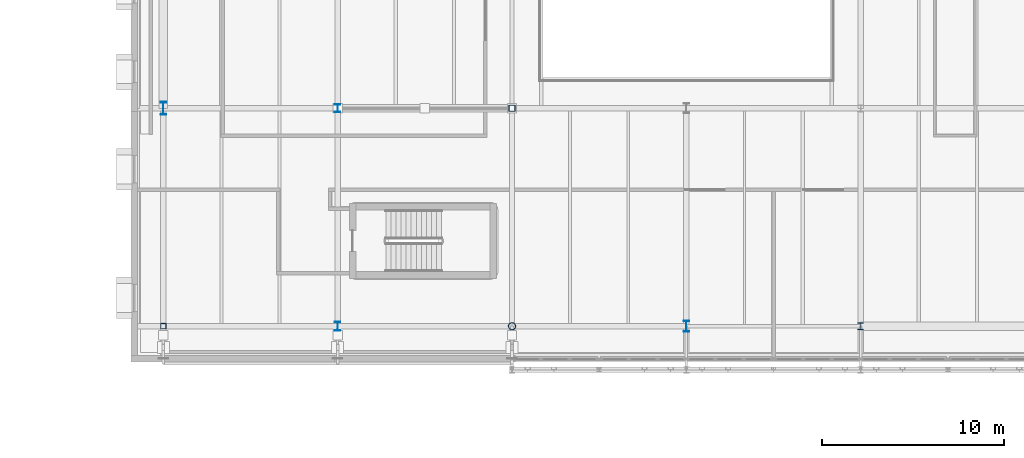
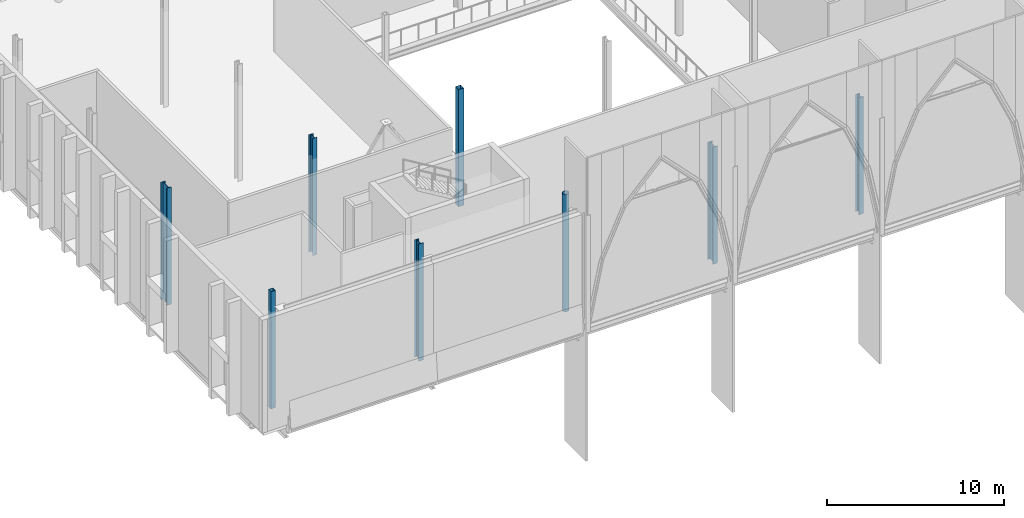
# One storey, part 4 of 79: 8 columns.
"""IFC4 building model written with IfcOpenShell, lengths in metres."""

from ifc_helpers import new_model, si_unit, direction, frame, origin, origin_2d, place, context, subcontext, project, spatial, hollow_rectangle, hollow_circle, i_section, extrude, material, material_profile, profile_set, type_object, element, save


model = new_model("IFC4")

# Units and contexts
model_context = context("Model", 3, precision=1e-05, world=origin(), true_north=direction((0.0, 1.0)))
body_context = subcontext(model_context, "Body", "Model", "MODEL_VIEW")
ifc_project = project(units=[si_unit("LENGTHUNIT", "METRE"), si_unit("AREAUNIT", "SQUARE_METRE"), si_unit("VOLUMEUNIT", "CUBIC_METRE"), si_unit("PLANEANGLEUNIT", "RADIAN"), si_unit("MASSUNIT", "GRAM", prefix="KILO")], contexts=[model_context])

# Site, building, storey
site_placement = place(None, origin())
site = spatial("IfcSite", under=ifc_project, at=site_placement, CompositionType="ELEMENT")
building_placement = place(site_placement, origin())
building = spatial("IfcBuilding", under=site, at=building_placement, Name="Zereglee Splitstone Museum", CompositionType="ELEMENT")
storey_placement = place(building_placement, frame((0.0, 0.0, 9.0)))
storey = spatial("IfcBuildingStorey", under=building, at=storey_placement, Name="L02", CompositionType="ELEMENT", Elevation=9.0)

# Columns
ifc_material_1 = material(Name="Steel S355J2H", Category="steel")
ifc_material_profile_1 = material_profile(ifc_material_1, hollow_circle(Radius=0.203125, WallThickness=0.02001953125, at=origin_2d()), Name="CHS 406.4x20")
ifc_profile_set_1 = profile_set([ifc_material_profile_1], Name="Steel S355J2H")
column_type_1 = type_object("IfcColumnType", Name="C-18", PredefinedType="COLUMN", material=ifc_profile_set_1)
column_1_placement = place(storey_placement, frame((97.199951171875, 9.60009765625, 0.0), z_axis=(0.0, 0.0, 1.0), x_axis=(1.0, 0.0, 0.0)))
element("IfcColumn", 1, at=column_1_placement, inside=storey, type_object=column_type_1, Name="Column 12/B L02", PredefinedType="COLUMN", context=body_context, shape_type="SweptSolid", body=[
    extrude(hollow_circle(Radius=0.203125, WallThickness=0.02001953125, at=origin_2d()), origin(), (0.0, 0.0, 1.0), 8.10009765625),
])
ifc_material_2 = material(Name="Steel S355J2", Category="steel")
ifc_material_profile_2 = material_profile(ifc_material_2, i_section(OverallWidth=0.300048828125, OverallDepth=0.39990234375, WebThickness=0.013427734375, FlangeThickness=0.02392578125, FilletRadius=0.027099609375, at=origin_2d()), Name="HE 400 B")
ifc_profile_set_2 = profile_set([ifc_material_profile_2], Name="Steel S355J2")
column_type_2 = type_object("IfcColumnType", Name="C-15", PredefinedType="COLUMN", material=ifc_profile_set_2)
column_2_placement = place(storey_placement, frame((116.39990234375, 9.60009765625, 0.0), z_axis=(0.0, 0.0, 1.0), x_axis=(1.0, 0.0, 0.0)))
element("IfcColumn", 2, at=column_2_placement, inside=storey, type_object=column_type_2, Name="Column 14/B L02", PredefinedType="COLUMN", context=body_context, shape_type="SweptSolid", body=[
    extrude(i_section(OverallWidth=0.300048828125, OverallDepth=0.39990234375, WebThickness=0.013427734375, FlangeThickness=0.02392578125, FilletRadius=0.027099609375, at=origin_2d()), origin(), (0.0, 0.0, 1.0), 8.10009765625),
])
ifc_material_profile_3 = material_profile(ifc_material_2, i_section(OverallWidth=0.300048828125, OverallDepth=0.449951171875, WebThickness=0.013916015625, FlangeThickness=0.02587890625, FilletRadius=0.027099609375, at=origin_2d()), Name="HE 450 B")
ifc_profile_set_3 = profile_set([ifc_material_profile_3], Name="Steel S355J2")
column_type_3 = type_object("IfcColumnType", Name="C-14", PredefinedType="COLUMN", material=ifc_profile_set_3)
column_3_placement = place(storey_placement, frame((87.60009765625, 21.60009765625, 0.0), z_axis=(0.0, 0.0, 1.0), x_axis=(1.0, 0.0, 0.0)))
element("IfcColumn", 3, at=column_3_placement, inside=storey, type_object=column_type_3, Name="Column 11/C L02", PredefinedType="COLUMN", context=body_context, shape_type="SweptSolid", body=[
    extrude(i_section(OverallWidth=0.300048828125, OverallDepth=0.449951171875, WebThickness=0.013916015625, FlangeThickness=0.02587890625, FilletRadius=0.027099609375, at=origin_2d()), origin(), (0.0, 0.0, 1.0), 8.10009765625),
])
ifc_material_profile_4 = material_profile(ifc_material_2, i_section(OverallWidth=0.300048828125, OverallDepth=0.5, WebThickness=0.014404296875, FlangeThickness=0.028076171875, FilletRadius=0.027099609375, at=origin_2d()), Name="HE 500 B")
ifc_profile_set_4 = profile_set([ifc_material_profile_4], Name="Steel S355J2")
column_type_4 = type_object("IfcColumnType", Name="C-13", PredefinedType="COLUMN", material=ifc_profile_set_4)
column_4_placement = place(storey_placement, frame((87.60009765625, 9.60009765625, 0.0), z_axis=(0.0, 0.0, 1.0), x_axis=(1.0, 0.0, 0.0)))
element("IfcColumn", 4, at=column_4_placement, inside=storey, type_object=column_type_4, Name="Column 11/B L02", PredefinedType="COLUMN", context=body_context, shape_type="SweptSolid", body=[
    extrude(i_section(OverallWidth=0.300048828125, OverallDepth=0.5, WebThickness=0.014404296875, FlangeThickness=0.028076171875, FilletRadius=0.027099609375, at=origin_2d()), origin(), (0.0, 0.0, 1.0), 8.10009765625),
])
ifc_material_profile_5 = material_profile(ifc_material_2, i_section(OverallWidth=0.300048828125, OverallDepth=0.60009765625, WebThickness=0.015380859375, FlangeThickness=0.030029296875, FilletRadius=0.027099609375, at=origin_2d()), Name="HE 600 B")
ifc_profile_set_5 = profile_set([ifc_material_profile_5], Name="Steel S355J2")
column_type_5 = type_object("IfcColumnType", Name="C-11", PredefinedType="COLUMN", material=ifc_profile_set_5)
column_5_placement = place(storey_placement, frame((106.800048828125, 9.60009765625, 0.0), z_axis=(0.0, 0.0, 1.0), x_axis=(1.0, 0.0, 0.0)))
element("IfcColumn", 5, at=column_5_placement, inside=storey, type_object=column_type_5, Name="Column 13/B L02", PredefinedType="COLUMN", context=body_context, shape_type="SweptSolid", body=[
    extrude(i_section(OverallWidth=0.300048828125, OverallDepth=0.60009765625, WebThickness=0.015380859375, FlangeThickness=0.030029296875, FilletRadius=0.027099609375, at=origin_2d()), origin(), (0.0, 0.0, 1.0), 8.10009765625),
])
ifc_material_profile_6 = material_profile(ifc_material_2, i_section(OverallWidth=0.300048828125, OverallDepth=0.699951171875, WebThickness=0.01708984375, FlangeThickness=0.031982421875, FilletRadius=0.027099609375, at=origin_2d()), Name="HE 700 B")
ifc_profile_set_6 = profile_set([ifc_material_profile_6], Name="Steel S355J2")
column_type_6 = type_object("IfcColumnType", Name="C-09", PredefinedType="COLUMN", material=ifc_profile_set_6)
column_6_placement = place(storey_placement, frame((78.0, 21.60009765625, 0.0), z_axis=(0.0, 0.0, 1.0), x_axis=(1.0, 0.0, 0.0)))
element("IfcColumn", 6, at=column_6_placement, inside=storey, type_object=column_type_6, Name="Column 10/C L02", PredefinedType="COLUMN", context=body_context, shape_type="SweptSolid", body=[
    extrude(i_section(OverallWidth=0.300048828125, OverallDepth=0.699951171875, WebThickness=0.01708984375, FlangeThickness=0.031982421875, FilletRadius=0.027099609375, at=origin_2d()), origin(), (0.0, 0.0, 1.0), 8.10009765625),
])
ifc_material_profile_7 = material_profile(ifc_material_1, hollow_rectangle(XDim=0.300048828125, YDim=0.300048828125, WallThickness=0.01611328125, at=origin_2d()), Name="SHS 300x300x16")
ifc_profile_set_7 = profile_set([ifc_material_profile_7], Name="Steel S355J2H")
column_type_7 = type_object("IfcColumnType", Name="C-20", PredefinedType="COLUMN", material=ifc_profile_set_7)
column_7_placement = place(storey_placement, frame((78.0, 9.60009765625, 0.0), z_axis=(0.0, 0.0, 1.0), x_axis=(1.0, 0.0, 0.0)))
element("IfcColumn", 7, at=column_7_placement, inside=storey, type_object=column_type_7, Name="Column 10/B L02", PredefinedType="COLUMN", context=body_context, shape_type="SweptSolid", body=[
    extrude(hollow_rectangle(XDim=0.300048828125, YDim=0.300048828125, WallThickness=0.01611328125, at=origin_2d()), origin(), (0.0, 0.0, 1.0), 8.10009765625),
])
ifc_material_profile_8 = material_profile(ifc_material_1, hollow_rectangle(XDim=0.35009765625, YDim=0.35009765625, WallThickness=0.01611328125, at=origin_2d()), Name="SHS 350x350x16")
ifc_profile_set_8 = profile_set([ifc_material_profile_8], Name="Steel S355J2H")
column_type_8 = type_object("IfcColumnType", Name="C-19", PredefinedType="COLUMN", material=ifc_profile_set_8)
column_8_placement = place(storey_placement, frame((97.199951171875, 21.60009765625, 0.0), z_axis=(0.0, 0.0, 1.0), x_axis=(1.0, 0.0, 0.0)))
element("IfcColumn", 8, at=column_8_placement, inside=storey, type_object=column_type_8, Name="Column 12/C L02", PredefinedType="COLUMN", context=body_context, shape_type="SweptSolid", body=[
    extrude(hollow_rectangle(XDim=0.35009765625, YDim=0.35009765625, WallThickness=0.01611328125, at=origin_2d()), origin(), (0.0, 0.0, 1.0), 8.10009765625),
])

save(model, "model.ifc")
